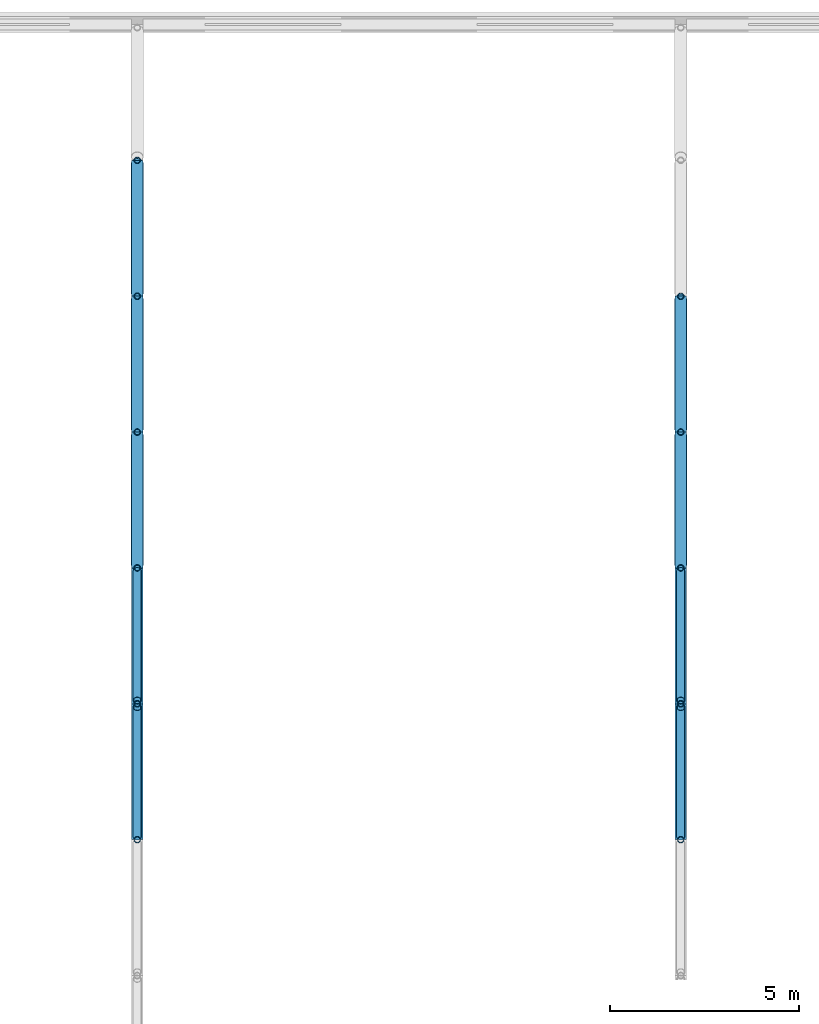
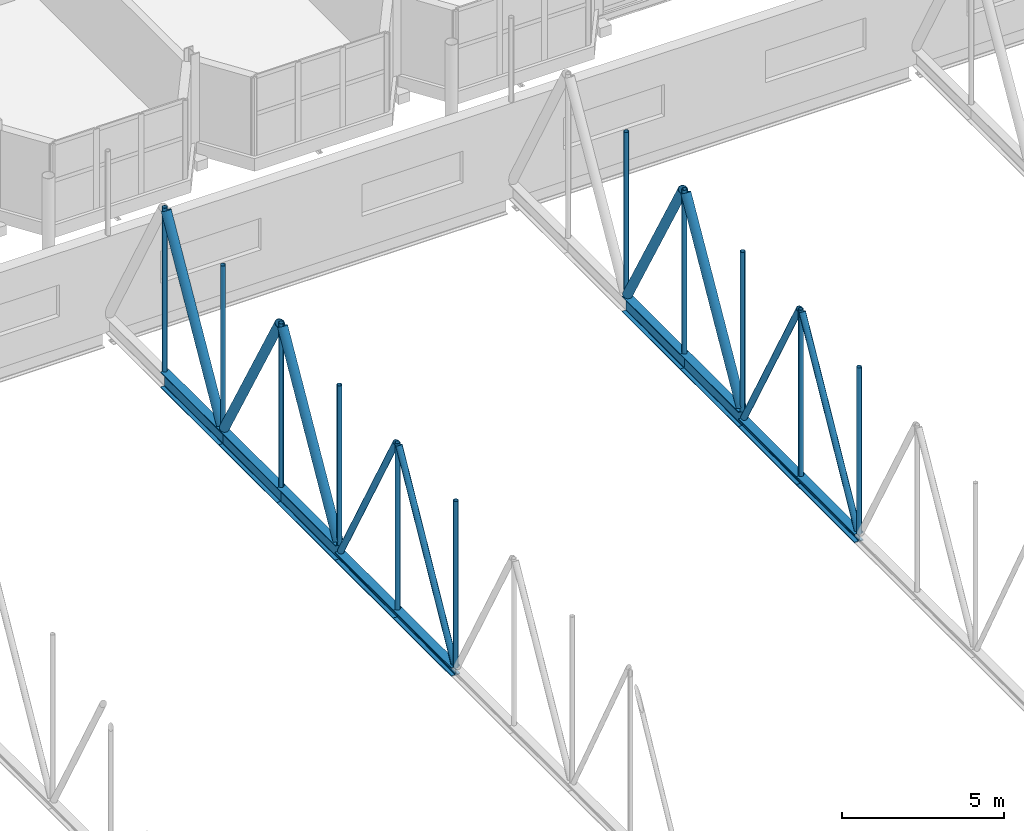
# One storey, part 48 of 142: 29 members.
"""IFC4 building model written with IfcOpenShell, lengths in metres."""

from ifc_helpers import new_model, si_unit, direction, frame, origin, origin_2d, place, context, subcontext, project, spatial, hollow_circle, i_section, extrude, material, material_profile, profile_set, type_object, element, save


model = new_model("IFC4")

# Units and contexts
model_context = context("Model", 3, precision=1e-05, world=origin(), true_north=direction((0.0, 1.0)))
body_context = subcontext(model_context, "Body", "Model", "MODEL_VIEW")
ifc_project = project(units=[si_unit("LENGTHUNIT", "METRE"), si_unit("AREAUNIT", "SQUARE_METRE"), si_unit("VOLUMEUNIT", "CUBIC_METRE"), si_unit("PLANEANGLEUNIT", "RADIAN"), si_unit("MASSUNIT", "GRAM", prefix="KILO")], contexts=[model_context])

# Site, building, storey
site_placement = place(None, origin())
site = spatial("IfcSite", under=ifc_project, at=site_placement, CompositionType="ELEMENT")
building_placement = place(site_placement, origin())
building = spatial("IfcBuilding", under=site, at=building_placement, Name="Kupolbacken Congress Centre", CompositionType="ELEMENT")
storey_placement = place(building_placement, frame((0.0, 0.0, 14.39990234375)))
storey = spatial("IfcBuildingStorey", under=building, at=storey_placement, Name="L04", CompositionType="ELEMENT", Elevation=14.39990234375)

# Members
ifc_material_1 = material(Name="Steel S355", Category="steel")
ifc_material_profile_1 = material_profile(ifc_material_1, i_section(OverallWidth=0.31005859375, OverallDepth=0.340087890625, WebThickness=0.02099609375, FlangeThickness=0.0390625, FilletRadius=0.027099609375, at=origin_2d()), Name="HEM 300")
ifc_profile_set_1 = profile_set([ifc_material_profile_1], Name="Steel S355")
member_type_1 = type_object("IfcMemberType", Name="M01 transfer truss chord HEM 300", PredefinedType="CHORD", material=ifc_profile_set_1)
member_1_placement = place(storey_placement, frame((108.0, 93.60009765625, 0.16015625), z_axis=(0.0, 1.0, 0.0), x_axis=(-1.0, 0.0, 0.0)))
element("IfcMember", 1, at=member_1_placement, inside=storey, type_object=member_type_1, Name="HT/T2/BC15", PredefinedType="CHORD", context=body_context, shape_type="SweptSolid", body=[
    extrude(i_section(OverallWidth=0.31005859375, OverallDepth=0.340087890625, WebThickness=0.02099609375, FlangeThickness=0.0390625, FilletRadius=0.027099609375, at=origin_2d()), origin(), (0.0, 0.0, 1.0), 3.599853515625),
])
member_2_placement = place(storey_placement, frame((108.0, 97.199951171875, 0.16015625), z_axis=(0.0, 1.0, 0.0), x_axis=(-1.0, 0.0, 0.0)))
element("IfcMember", 2, at=member_2_placement, inside=storey, type_object=member_type_1, Name="HT/T2/BC16", PredefinedType="CHORD", context=body_context, shape_type="SweptSolid", body=[
    extrude(i_section(OverallWidth=0.31005859375, OverallDepth=0.340087890625, WebThickness=0.02099609375, FlangeThickness=0.0390625, FilletRadius=0.027099609375, at=origin_2d()), origin(), (0.0, 0.0, 1.0), 3.60009765625),
])
member_3_placement = place(storey_placement, frame((122.39990234375, 93.60009765625, 0.16015625), z_axis=(0.0, 1.0, 0.0), x_axis=(-1.0, 0.0, 0.0)))
element("IfcMember", 3, at=member_3_placement, inside=storey, type_object=member_type_1, Name="HT/T3/BC15", PredefinedType="CHORD", context=body_context, shape_type="SweptSolid", body=[
    extrude(i_section(OverallWidth=0.31005859375, OverallDepth=0.340087890625, WebThickness=0.02099609375, FlangeThickness=0.0390625, FilletRadius=0.027099609375, at=origin_2d()), origin(), (0.0, 0.0, 1.0), 3.599853515625),
])
member_4_placement = place(storey_placement, frame((122.39990234375, 97.199951171875, 0.16015625), z_axis=(0.0, 1.0, 0.0), x_axis=(-1.0, 0.0, 0.0)))
element("IfcMember", 4, at=member_4_placement, inside=storey, type_object=member_type_1, Name="HT/T3/BC16", PredefinedType="CHORD", context=body_context, shape_type="SweptSolid", body=[
    extrude(i_section(OverallWidth=0.31005859375, OverallDepth=0.340087890625, WebThickness=0.02099609375, FlangeThickness=0.0390625, FilletRadius=0.027099609375, at=origin_2d()), origin(), (0.0, 0.0, 1.0), 3.60009765625),
])
ifc_material_2 = material(Name="Steel S355", Category="steel")
ifc_material_profile_2 = material_profile(ifc_material_2, i_section(OverallWidth=0.300048828125, OverallDepth=0.60009765625, WebThickness=0.015380859375, FlangeThickness=0.030029296875, FilletRadius=0.027099609375, at=origin_2d()), Name="HEB 600")
ifc_profile_set_2 = profile_set([ifc_material_profile_2], Name="Steel S355")
member_type_2 = type_object("IfcMemberType", Name="M02 transfer truss chord HEB 600", PredefinedType="CHORD", material=ifc_profile_set_2)
member_5_placement = place(storey_placement, frame((108.0, 100.800048828125, 0.2900390625), z_axis=(0.0, 1.0, 0.0), x_axis=(-1.0, 0.0, 0.0)))
element("IfcMember", 5, at=member_5_placement, inside=storey, type_object=member_type_2, Name="HT/T2/BC17", PredefinedType="CHORD", context=body_context, shape_type="SweptSolid", body=[
    extrude(i_section(OverallWidth=0.300048828125, OverallDepth=0.60009765625, WebThickness=0.015380859375, FlangeThickness=0.030029296875, FilletRadius=0.027099609375, at=origin_2d()), origin(), (0.0, 0.0, 1.0), 3.599853515625),
])
for number, where, z_axis, x_axis, name in (
    (6, (108.0, 104.39990234375, 0.2900390625), (0.0, 1.0, 0.0), (-1.0, 0.0, 0.0), "HT/T2/BC18"),
    (7, (108.0, 108.0, 0.2900390625), (0.0, 1.0, 0.0), (-1.0, 0.0, 0.0), "HT/T2/BC19"),
):
    element("IfcMember", number, at=place(storey_placement, frame(where, z_axis=z_axis, x_axis=x_axis)), inside=storey, type_object=member_type_2, Name=name, PredefinedType="CHORD", context=body_context, shape_type="SweptSolid", body=[
        extrude(i_section(OverallWidth=0.300048828125, OverallDepth=0.60009765625, WebThickness=0.015380859375, FlangeThickness=0.030029296875, FilletRadius=0.027099609375, at=origin_2d()), origin(), (0.0, 0.0, 1.0), 3.60009765625),
    ])
member_6_placement = place(storey_placement, frame((122.39990234375, 100.800048828125, 0.2900390625), z_axis=(0.0, 1.0, 0.0), x_axis=(-1.0, 0.0, 0.0)))
element("IfcMember", 8, at=member_6_placement, inside=storey, type_object=member_type_2, Name="HT/T3/BC17", PredefinedType="CHORD", context=body_context, shape_type="SweptSolid", body=[
    extrude(i_section(OverallWidth=0.300048828125, OverallDepth=0.60009765625, WebThickness=0.015380859375, FlangeThickness=0.030029296875, FilletRadius=0.027099609375, at=origin_2d()), origin(), (0.0, 0.0, 1.0), 3.599853515625),
])
member_7_placement = place(storey_placement, frame((122.39990234375, 104.39990234375, 0.2900390625), z_axis=(0.0, 1.0, 0.0), x_axis=(-1.0, 0.0, 0.0)))
element("IfcMember", 9, at=member_7_placement, inside=storey, type_object=member_type_2, Name="HT/T3/BC18", PredefinedType="CHORD", context=body_context, shape_type="SweptSolid", body=[
    extrude(i_section(OverallWidth=0.300048828125, OverallDepth=0.60009765625, WebThickness=0.015380859375, FlangeThickness=0.030029296875, FilletRadius=0.027099609375, at=origin_2d()), origin(), (0.0, 0.0, 1.0), 3.60009765625),
])
ifc_material_3 = material(Name="Steel S355", Category="steel")
ifc_material_profile_3 = material_profile(ifc_material_3, hollow_circle(Radius=0.161865234375, WallThickness=0.012451171875, at=origin_2d()), Name="CHS 323.9 x 12.5")
ifc_profile_set_3 = profile_set([ifc_material_profile_3], Name="Steel S355")
member_type_3 = type_object("IfcMemberType", Name="M04 transfer truss web CHS 323.9 x 12.5", PredefinedType="BRACE", material=ifc_profile_set_3)
member_8_placement = place(storey_placement, frame((108.0, 100.884033203125, 0.658935546875), z_axis=(0.0, 0.494482554546, 0.869187553552), x_axis=(-1.0, 0.0, 0.0)))
element("IfcMember", 10, at=member_8_placement, inside=storey, type_object=member_type_3, Name="HT/T2/D17", PredefinedType="BRACE", context=body_context, shape_type="SweptSolid", body=[
    extrude(hollow_circle(Radius=0.161865234375, WallThickness=0.012451171875, at=origin_2d()), origin(), (0.0, 0.0, 1.0), 6.9404296875),
])
for number, where, z_axis, x_axis, name in (
    (11, (108.0, 104.484130859375, 6.69140625), (0.0, 0.494455978115, -0.869202672399), (-1.0, 0.0, 0.0), "HT/T2/D18"),
    (12, (108.0, 108.084228515625, 0.658935546875), (0.0, 0.494455978115, 0.869202672399), (-1.0, 0.0, 0.0), "HT/T2/D19"),
):
    element("IfcMember", number, at=place(storey_placement, frame(where, z_axis=z_axis, x_axis=x_axis)), inside=storey, type_object=member_type_3, Name=name, PredefinedType="BRACE", context=body_context, shape_type="SweptSolid", body=[
        extrude(hollow_circle(Radius=0.161865234375, WallThickness=0.012451171875, at=origin_2d()), origin(), (0.0, 0.0, 1.0), 6.940185546875),
    ])
member_9_placement = place(storey_placement, frame((122.39990234375, 100.884033203125, 0.658935546875), z_axis=(0.0, 0.494482554546, 0.869187553552), x_axis=(-1.0, 0.0, 0.0)))
element("IfcMember", 13, at=member_9_placement, inside=storey, type_object=member_type_3, Name="HT/T3/D17", PredefinedType="BRACE", context=body_context, shape_type="SweptSolid", body=[
    extrude(hollow_circle(Radius=0.161865234375, WallThickness=0.012451171875, at=origin_2d()), origin(), (0.0, 0.0, 1.0), 6.9404296875),
])
member_10_placement = place(storey_placement, frame((122.39990234375, 104.484130859375, 6.69140625), z_axis=(0.0, 0.494455978115, -0.869202672399), x_axis=(-1.0, 0.0, 0.0)))
element("IfcMember", 14, at=member_10_placement, inside=storey, type_object=member_type_3, Name="HT/T3/D18", PredefinedType="BRACE", context=body_context, shape_type="SweptSolid", body=[
    extrude(hollow_circle(Radius=0.161865234375, WallThickness=0.012451171875, at=origin_2d()), origin(), (0.0, 0.0, 1.0), 6.940185546875),
])
ifc_material_4 = material(Name="Steel S355", Category="steel")
ifc_material_profile_4 = material_profile(ifc_material_4, hollow_circle(Radius=0.109619140625, WallThickness=0.010009765625, at=origin_2d()), Name="CHS 219.1 x 10")
ifc_profile_set_4 = profile_set([ifc_material_profile_4], Name="Steel S355")
member_type_4 = type_object("IfcMemberType", Name="M05 transfer truss web CHS 219.1 x 10", PredefinedType="BRACE", material=ifc_profile_set_4)
member_11_placement = place(storey_placement, frame((108.0, 93.68408203125, 0.372802734375), z_axis=(0.0, 0.485197410842, 0.87440463889), x_axis=(-1.0, 0.0, 0.0)))
element("IfcMember", 15, at=member_11_placement, inside=storey, type_object=member_type_4, Name="HT/T2/D15", PredefinedType="BRACE", context=body_context, shape_type="SweptSolid", body=[
    extrude(hollow_circle(Radius=0.109619140625, WallThickness=0.010009765625, at=origin_2d()), origin(), (0.0, 0.0, 1.0), 7.0732421875),
])
member_12_placement = place(storey_placement, frame((108.0, 97.2841796875, 6.5576171875), z_axis=(0.0, 0.48517101949, -0.874419282637), x_axis=(-1.0, 0.0, 0.0)))
element("IfcMember", 16, at=member_12_placement, inside=storey, type_object=member_type_4, Name="HT/T2/D16", PredefinedType="BRACE", context=body_context, shape_type="SweptSolid", body=[
    extrude(hollow_circle(Radius=0.109619140625, WallThickness=0.010009765625, at=origin_2d()), origin(), (0.0, 0.0, 1.0), 7.072998046875),
])
member_13_placement = place(storey_placement, frame((122.39990234375, 93.68408203125, 0.372802734375), z_axis=(0.0, 0.485197410842, 0.87440463889), x_axis=(-1.0, 0.0, 0.0)))
element("IfcMember", 17, at=member_13_placement, inside=storey, type_object=member_type_4, Name="HT/T3/D15", PredefinedType="BRACE", context=body_context, shape_type="SweptSolid", body=[
    extrude(hollow_circle(Radius=0.109619140625, WallThickness=0.010009765625, at=origin_2d()), origin(), (0.0, 0.0, 1.0), 7.0732421875),
])
member_14_placement = place(storey_placement, frame((122.39990234375, 97.2841796875, 6.5576171875), z_axis=(0.0, 0.48517101949, -0.874419282637), x_axis=(-1.0, 0.0, 0.0)))
element("IfcMember", 18, at=member_14_placement, inside=storey, type_object=member_type_4, Name="HT/T3/D16", PredefinedType="BRACE", context=body_context, shape_type="SweptSolid", body=[
    extrude(hollow_circle(Radius=0.109619140625, WallThickness=0.010009765625, at=origin_2d()), origin(), (0.0, 0.0, 1.0), 7.072998046875),
])
ifc_material_5 = material(Name="Steel S355", Category="steel")
ifc_material_profile_5 = material_profile(ifc_material_5, hollow_circle(Radius=0.084228515625, WallThickness=0.008056640625, at=origin_2d()), Name="CHS 168.3 x 8")
ifc_profile_set_5 = profile_set([ifc_material_profile_5], Name="Steel S355")
member_type_5 = type_object("IfcMemberType", Name="M20 transfer truss post CHS 168.3 x 8", PredefinedType="STRUT", material=ifc_profile_set_5)
for number, where, z_axis, x_axis, name in (
    (19, (108.0, 93.60009765625, 0.320068359375), (0.0, 0.0, 1.0), (0.0, 1.0, 0.0), "HT/T2/P14"),
    (20, (108.0, 97.199951171875, 0.320068359375), (0.0, 0.0, 1.0), (0.0, 1.0, 0.0), "HT/T2/P15"),
):
    element("IfcMember", number, at=place(storey_placement, frame(where, z_axis=z_axis, x_axis=x_axis)), inside=storey, type_object=member_type_5, Name=name, PredefinedType="STRUT", context=body_context, shape_type="SweptSolid", body=[
        extrude(hollow_circle(Radius=0.084228515625, WallThickness=0.008056640625, at=origin_2d()), origin(), (0.0, 0.0, 1.0), 6.2900390625),
    ])
member_15_placement = place(storey_placement, frame((108.0, 100.800048828125, 0.580078125), z_axis=(0.0, 0.0, 1.0), x_axis=(0.0, 1.0, 0.0)))
element("IfcMember", 21, at=member_15_placement, inside=storey, type_object=member_type_5, Name="HT/T2/P16", PredefinedType="STRUT", context=body_context, shape_type="SweptSolid", body=[
    extrude(hollow_circle(Radius=0.084228515625, WallThickness=0.008056640625, at=origin_2d()), origin(), (0.0, 0.0, 1.0), 6.030029296875),
])
for number, where, z_axis, x_axis, name in (
    (22, (108.0, 104.39990234375, 0.580078125), (0.0, 0.0, 1.0), (0.0, 1.0, 0.0), "HT/T2/P17"),
    (23, (108.0, 108.0, 0.580078125), (0.0, 0.0, 1.0), (0.0, 1.0, 0.0), "HT/T2/P18"),
    (24, (108.0, 111.60009765625, 0.580078125), (0.0, 0.0, 1.0), (0.0, 1.0, 0.0), "HT/T2/P19"),
):
    element("IfcMember", number, at=place(storey_placement, frame(where, z_axis=z_axis, x_axis=x_axis)), inside=storey, type_object=member_type_5, Name=name, PredefinedType="STRUT", context=body_context, shape_type="SweptSolid", body=[
        extrude(hollow_circle(Radius=0.084228515625, WallThickness=0.008056640625, at=origin_2d()), origin(), (0.0, 0.0, 1.0), 6.18994140625),
    ])
for number, where, z_axis, x_axis, name in (
    (25, (122.39990234375, 93.60009765625, 0.320068359375), (0.0, 0.0, 1.0), (0.0, 1.0, 0.0), "HT/T3/P14"),
    (26, (122.39990234375, 97.199951171875, 0.320068359375), (0.0, 0.0, 1.0), (0.0, 1.0, 0.0), "HT/T3/P15"),
):
    element("IfcMember", number, at=place(storey_placement, frame(where, z_axis=z_axis, x_axis=x_axis)), inside=storey, type_object=member_type_5, Name=name, PredefinedType="STRUT", context=body_context, shape_type="SweptSolid", body=[
        extrude(hollow_circle(Radius=0.084228515625, WallThickness=0.008056640625, at=origin_2d()), origin(), (0.0, 0.0, 1.0), 6.2900390625),
    ])
member_16_placement = place(storey_placement, frame((122.39990234375, 100.800048828125, 0.580078125), z_axis=(0.0, 0.0, 1.0), x_axis=(0.0, 1.0, 0.0)))
element("IfcMember", 27, at=member_16_placement, inside=storey, type_object=member_type_5, Name="HT/T3/P16", PredefinedType="STRUT", context=body_context, shape_type="SweptSolid", body=[
    extrude(hollow_circle(Radius=0.084228515625, WallThickness=0.008056640625, at=origin_2d()), origin(), (0.0, 0.0, 1.0), 6.030029296875),
])
for number, where, z_axis, x_axis, name in (
    (28, (122.39990234375, 104.39990234375, 0.580078125), (0.0, 0.0, 1.0), (0.0, 1.0, 0.0), "HT/T3/P17"),
    (29, (122.39990234375, 108.0, 0.580078125), (0.0, 0.0, 1.0), (0.0, 1.0, 0.0), "HT/T3/P18"),
):
    element("IfcMember", number, at=place(storey_placement, frame(where, z_axis=z_axis, x_axis=x_axis)), inside=storey, type_object=member_type_5, Name=name, PredefinedType="STRUT", context=body_context, shape_type="SweptSolid", body=[
        extrude(hollow_circle(Radius=0.084228515625, WallThickness=0.008056640625, at=origin_2d()), origin(), (0.0, 0.0, 1.0), 6.18994140625),
    ])

save(model, "model.ifc")
